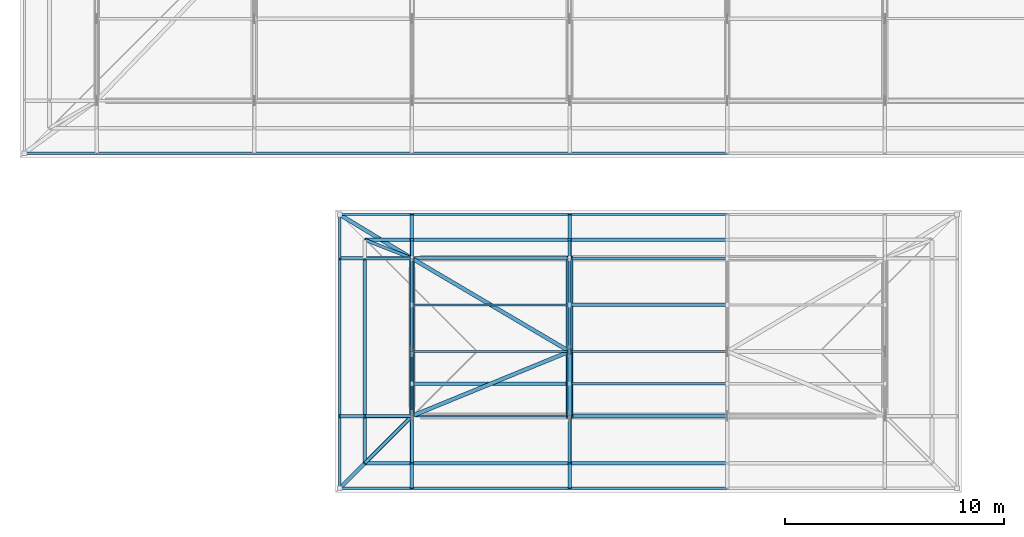
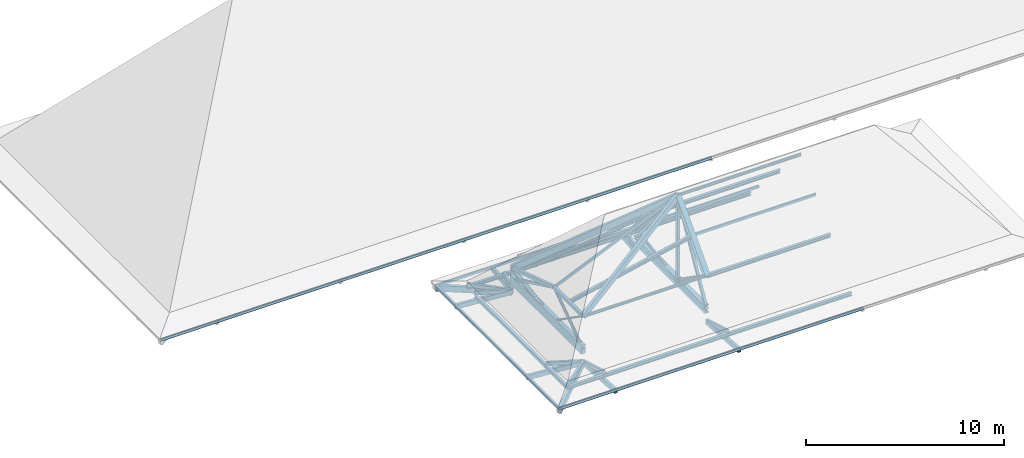
# One storey, part 1 of 12: 63 members, 2 beams.
"""IFC4 building model written with IfcOpenShell, lengths in metres."""

from ifc_helpers import new_model, si_unit, direction, frame, origin, origin_2d, place, context, subcontext, project, spatial, rectangle, hollow_rectangle, hollow_circle, i_section, extrude, material, material_profile, profile_set, type_object, element, save


model = new_model("IFC4")

# Units and contexts
model_context = context("Model", 3, precision=1e-05, world=origin(), true_north=direction((0.0, 1.0)))
body_context = subcontext(model_context, "Body", "Model", "MODEL_VIEW")
ifc_project = project(units=[si_unit("LENGTHUNIT", "METRE"), si_unit("AREAUNIT", "SQUARE_METRE"), si_unit("VOLUMEUNIT", "CUBIC_METRE"), si_unit("PLANEANGLEUNIT", "RADIAN"), si_unit("MASSUNIT", "GRAM", prefix="KILO")], contexts=[model_context])

# Site, building, storey
site_placement = place(None, origin())
site = spatial("IfcSite", under=ifc_project, at=site_placement, CompositionType="ELEMENT")
building_placement = place(site_placement, origin())
building = spatial("IfcBuilding", under=site, at=building_placement, Name="Steenspoor Specialist Clinic", CompositionType="ELEMENT")
storey_placement = place(building_placement, frame((0.0, 0.0, 25.800048828125)))
storey = spatial("IfcBuildingStorey", under=building, at=storey_placement, Name="RF", CompositionType="ELEMENT", Elevation=25.800048828125)

# Beams
ifc_material_1 = material(Name="Glulam GL28h", Category="wood")
ifc_material_profile_1 = material_profile(ifc_material_1, rectangle(XDim=0.239990234375, YDim=0.56005859375, at=origin_2d()), Name="GL28H-240X560")
ifc_profile_set_1 = profile_set([ifc_material_profile_1], Name="Glulam GL28h")
beam_type_1 = type_object("IfcBeamType", Name="BM-GL-240X560", PredefinedType="BEAM", material=ifc_profile_set_1)
beam_1_placement = place(storey_placement, frame((74.0, 79.550048828125, 0.300048828125), z_axis=(0.0, 1.0, 0.0), x_axis=(-1.0, 0.0, 0.0)))
element("IfcBeam", 1, at=beam_1_placement, inside=storey, type_object=beam_type_1, Name="ROOF TRUSS Bottom Tie Chord V4S 1", PredefinedType="BEAM", context=body_context, shape_type="SweptSolid", body=[
    extrude(rectangle(XDim=0.239990234375, YDim=0.56005859375, at=origin_2d()), origin(), (0.0, 0.0, 1.0), 7.199951171875),
])
ifc_material_2 = material(Name="Steel A992 Grade 50", Category="steel")
ifc_material_profile_2 = material_profile(ifc_material_2, i_section(OverallWidth=0.280029296875, OverallDepth=0.462890625, WebThickness=0.0107421875, FlangeThickness=0.017333984375, at=origin_2d()), Name="W460X113")
ifc_profile_set_2 = profile_set([ifc_material_profile_2], Name="Steel A992 Grade 50")
beam_type_2 = type_object("IfcBeamType", Name="BM-ST-W460X113", PredefinedType="BEAM", material=ifc_profile_set_2)
beam_2_placement = place(storey_placement, frame((81.199951171875, 79.550048828125, 0.25146484375), z_axis=(0.0, 1.0, 0.0), x_axis=(-1.0, 0.0, 0.0)))
element("IfcBeam", 2, at=beam_2_placement, inside=storey, type_object=beam_type_2, Name="ROOF TRUSS Bottom Tie Chord V4S 2", PredefinedType="BEAM", context=body_context, shape_type="SweptSolid", body=[
    extrude(i_section(OverallWidth=0.280029296875, OverallDepth=0.462890625, WebThickness=0.0107421875, FlangeThickness=0.017333984375, at=origin_2d()), origin(), (0.0, 0.0, 1.0), 7.199951171875),
])

# Members
ifc_material_3 = material(Name="Steel A500 Grade C", Category="steel")
ifc_material_profile_3 = material_profile(ifc_material_3, hollow_circle(Radius=0.084228515625, WallThickness=0.007080078125, at=origin_2d()), Name="CHS168X7.1")
ifc_profile_set_3 = profile_set([ifc_material_profile_3], Name="Steel A500 Grade C")
member_type_1 = type_object("IfcMemberType", Name="MEM-BRACE-CHS168", PredefinedType="BRACE", material=ifc_profile_set_3)
member_1_placement = place(storey_placement, frame((74.0, 79.550048828125, 0.300048828125), z_axis=(0.0, 0.820636559169, 0.571450468331), x_axis=(-1.0, 0.0, 0.0)))
element("IfcMember", 3, at=member_1_placement, inside=storey, type_object=member_type_1, Name="ROOF TRUSS Web Brace V4S 1.1", PredefinedType="BRACE", context=body_context, shape_type="SweptSolid", body=[
    extrude(hollow_circle(Radius=0.084228515625, WallThickness=0.007080078125, at=origin_2d()), origin(), (0.0, 0.0, 1.0), 3.5947265625),
])
ifc_material_profile_4 = material_profile(ifc_material_3, hollow_rectangle(XDim=0.126953125, YDim=0.126953125, WallThickness=0.0087890625, at=origin_2d()), Name="HSS127X127X9.5")
ifc_profile_set_4 = profile_set([ifc_material_profile_4], Name="Steel A500 Grade C")
member_type_2 = type_object("IfcMemberType", Name="MEM-BRACE-H127A", PredefinedType="BRACE", material=ifc_profile_set_4)
member_2_placement = place(storey_placement, frame((81.199951171875, 82.5, 5.469970703125), z_axis=(0.0, 0.631483988757, -0.775388916572), x_axis=(-1.0, 0.0, 0.0)))
element("IfcMember", 4, at=member_2_placement, inside=storey, type_object=member_type_2, Name="ROOF TRUSS Web Brace V4S 2.2", PredefinedType="BRACE", context=body_context, shape_type="SweptSolid", body=[
    extrude(hollow_rectangle(XDim=0.126953125, YDim=0.126953125, WallThickness=0.0087890625, at=origin_2d()), origin(), (0.0, 0.0, 1.0), 6.730224609375),
])
ifc_material_profile_5 = material_profile(ifc_material_3, hollow_rectangle(XDim=0.15234375, YDim=0.15234375, WallThickness=0.0087890625, at=origin_2d()), Name="HSS152X152X9.5")
ifc_profile_set_5 = profile_set([ifc_material_profile_5], Name="Steel A500 Grade C")
member_type_3 = type_object("IfcMemberType", Name="MEM-BRACE-H152", PredefinedType="BRACE", material=ifc_profile_set_5)
member_3_placement = place(storey_placement, frame((74.0, 82.5, 2.354248046875), z_axis=(0.0, 0.900346250933, -0.435174250652), x_axis=(-1.0, 0.0, 0.0)))
element("IfcMember", 5, at=member_3_placement, inside=storey, type_object=member_type_3, Name="ROOF TRUSS Web Brace V4S 1.2", PredefinedType="BRACE", context=body_context, shape_type="SweptSolid", body=[
    extrude(hollow_rectangle(XDim=0.15234375, YDim=0.15234375, WallThickness=0.0087890625, at=origin_2d()), origin(), (0.0, 0.0, 1.0), 4.720458984375),
])
member_4_placement = place(storey_placement, frame((81.199951171875, 79.550048828125, 0.25146484375), z_axis=(0.0, 0.492102884101, 0.870537047724), x_axis=(-1.0, 0.0, 0.0)))
element("IfcMember", 6, at=member_4_placement, inside=storey, type_object=member_type_3, Name="ROOF TRUSS Web Brace V4S 2.1", PredefinedType="BRACE", context=body_context, shape_type="SweptSolid", body=[
    extrude(hollow_rectangle(XDim=0.15234375, YDim=0.15234375, WallThickness=0.0087890625, at=origin_2d()), origin(), (0.0, 0.0, 1.0), 5.99462890625),
])
ifc_material_profile_6 = material_profile(ifc_material_3, hollow_rectangle(XDim=0.177734375, YDim=0.177734375, WallThickness=0.0087890625, at=origin_2d()), Name="HSS178X178X9.5")
ifc_profile_set_6 = profile_set([ifc_material_profile_6], Name="Steel A500 Grade C")
member_type_4 = type_object("IfcMemberType", Name="MEM-CHORD-H178", PredefinedType="CHORD", material=ifc_profile_set_6)
member_5_placement = place(storey_placement, frame((74.0, 79.550048828125, 2.354248046875), z_axis=(0.0, 1.0, 0.0), x_axis=(-1.0, 0.0, 0.0)))
element("IfcMember", 7, at=member_5_placement, inside=storey, type_object=member_type_4, Name="ROOF TRUSS Top Chord V4S 1.1", PredefinedType="CHORD", context=body_context, shape_type="SweptSolid", body=[
    extrude(hollow_rectangle(XDim=0.177734375, YDim=0.177734375, WallThickness=0.0087890625, at=origin_2d()), origin(), (0.0, 0.0, 1.0), 2.949951171875),
])
member_6_placement = place(storey_placement, frame((74.0, 82.5, 2.354248046875), z_axis=(0.0, 0.950286750093, -0.311376127213), x_axis=(-1.0, 0.0, 0.0)))
element("IfcMember", 8, at=member_6_placement, inside=storey, type_object=member_type_4, Name="ROOF TRUSS Top Chord V4S 1.2", PredefinedType="CHORD", context=body_context, shape_type="SweptSolid", body=[
    extrude(hollow_rectangle(XDim=0.177734375, YDim=0.177734375, WallThickness=0.0087890625, at=origin_2d()), origin(), (0.0, 0.0, 1.0), 4.472412109375),
])
ifc_material_profile_7 = material_profile(ifc_material_2, i_section(OverallWidth=0.304931640625, OverallDepth=0.30810546875, WebThickness=0.010009765625, FlangeThickness=0.015380859375, at=origin_2d()), Name="W310X97")
ifc_profile_set_7 = profile_set([ifc_material_profile_7], Name="Steel A992 Grade 50")
member_type_5 = type_object("IfcMemberType", Name="MEM-CHORD-W310", PredefinedType="CHORD", material=ifc_profile_set_7)
member_7_placement = place(storey_placement, frame((81.199951171875, 79.550048828125, 2.309814453125), z_axis=(0.0, 0.682376600289, 0.731000803951), x_axis=(-1.0, 0.0, 0.0)))
element("IfcMember", 9, at=member_7_placement, inside=storey, type_object=member_type_5, Name="ROOF TRUSS Top Chord V4S 2.1", PredefinedType="CHORD", context=body_context, shape_type="SweptSolid", body=[
    extrude(i_section(OverallWidth=0.304931640625, OverallDepth=0.30810546875, WebThickness=0.010009765625, FlangeThickness=0.015380859375, at=origin_2d()), origin(), (0.0, 0.0, 1.0), 4.322998046875),
])
member_8_placement = place(storey_placement, frame((81.199951171875, 82.5, 5.469970703125), z_axis=(0.0, 0.682385287054, -0.73099269491), x_axis=(-1.0, 0.0, 0.0)))
element("IfcMember", 10, at=member_8_placement, inside=storey, type_object=member_type_5, Name="ROOF TRUSS Top Chord V4S 2.2", PredefinedType="CHORD", context=body_context, shape_type="SweptSolid", body=[
    extrude(i_section(OverallWidth=0.304931640625, OverallDepth=0.30810546875, WebThickness=0.010009765625, FlangeThickness=0.015380859375, at=origin_2d()), origin(), (0.0, 0.0, 1.0), 6.228271484375),
])
ifc_material_profile_8 = material_profile(ifc_material_3, hollow_rectangle(XDim=0.1015625, YDim=0.15234375, WallThickness=0.005859375, at=origin_2d()), Name="HSS152X102X6.4")
ifc_profile_set_8 = profile_set([ifc_material_profile_8], Name="Steel A500 Grade C")
member_type_6 = type_object("IfcMemberType", Name="MEM-PURLIN-H152", PredefinedType="PURLIN", material=ifc_profile_set_8)
member_9_placement = place(storey_placement, frame((56.300048828125, 91.550048828125, -0.195068359375), z_axis=(1.0, 0.0, 0.0), x_axis=(0.0, 1.0, 0.0)))
element("IfcMember", 11, at=member_9_placement, inside=storey, type_object=member_type_6, Name="ROOF TRUSS Eave Fascia 275", PredefinedType="PURLIN", context=body_context, shape_type="SweptSolid", body=[
    extrude(hollow_rectangle(XDim=0.1015625, YDim=0.15234375, WallThickness=0.005859375, at=origin_2d()), origin(), (0.0, 0.0, 1.0), 3.300048828125),
])
for number, where, z_axis, x_axis, name in (
    (12, (59.60009765625, 91.550048828125, -0.195068359375), (1.0, 0.0, 0.0), (0.0, 1.0, 0.0), "ROOF TRUSS Eave Fascia 276"),
    (13, (66.800048828125, 91.550048828125, -0.195068359375), (1.0, 0.0, 0.0), (0.0, 1.0, 0.0), "ROOF TRUSS Eave Fascia 277"),
    (14, (74.0, 91.550048828125, -0.195068359375), (1.0, 0.0, 0.0), (0.0, 1.0, 0.0), "ROOF TRUSS Eave Fascia 278"),
    (15, (81.199951171875, 91.550048828125, -0.195068359375), (1.0, 0.0, 0.0), (0.0, 1.0, 0.0), "ROOF TRUSS Eave Fascia 279"),
):
    element("IfcMember", number, at=place(storey_placement, frame(where, z_axis=z_axis, x_axis=x_axis)), inside=storey, type_object=member_type_6, Name=name, PredefinedType="PURLIN", context=body_context, shape_type="SweptSolid", body=[
        extrude(hollow_rectangle(XDim=0.1015625, YDim=0.15234375, WallThickness=0.005859375, at=origin_2d()), origin(), (0.0, 0.0, 1.0), 7.199951171875),
    ])
member_10_placement = place(storey_placement, frame((70.699951171875, 76.25, -0.195068359375), z_axis=(1.0, 0.0, 0.0), x_axis=(0.0, 1.0, 0.0)))
element("IfcMember", 16, at=member_10_placement, inside=storey, type_object=member_type_6, Name="ROOF TRUSS Eave Fascia 362", PredefinedType="PURLIN", context=body_context, shape_type="SweptSolid", body=[
    extrude(hollow_rectangle(XDim=0.1015625, YDim=0.15234375, WallThickness=0.005859375, at=origin_2d()), origin(), (0.0, 0.0, 1.0), 3.300048828125),
])
for number, where, z_axis, x_axis, name in (
    (17, (74.0, 76.25, -0.195068359375), (1.0, 0.0, 0.0), (0.0, 1.0, 0.0), "ROOF TRUSS Eave Fascia 363"),
    (18, (81.199951171875, 76.25, -0.195068359375), (1.0, 0.0, 0.0), (0.0, 1.0, 0.0), "ROOF TRUSS Eave Fascia 364"),
):
    element("IfcMember", number, at=place(storey_placement, frame(where, z_axis=z_axis, x_axis=x_axis)), inside=storey, type_object=member_type_6, Name=name, PredefinedType="PURLIN", context=body_context, shape_type="SweptSolid", body=[
        extrude(hollow_rectangle(XDim=0.1015625, YDim=0.15234375, WallThickness=0.005859375, at=origin_2d()), origin(), (0.0, 0.0, 1.0), 7.199951171875),
    ])
member_11_placement = place(storey_placement, frame((70.699951171875, 88.75, -0.195068359375), z_axis=(1.0, 0.0, 0.0), x_axis=(0.0, 1.0, 0.0)))
element("IfcMember", 19, at=member_11_placement, inside=storey, type_object=member_type_6, Name="ROOF TRUSS Eave Fascia 367", PredefinedType="PURLIN", context=body_context, shape_type="SweptSolid", body=[
    extrude(hollow_rectangle(XDim=0.1015625, YDim=0.15234375, WallThickness=0.005859375, at=origin_2d()), origin(), (0.0, 0.0, 1.0), 3.300048828125),
])
for number, where, z_axis, x_axis, name in (
    (20, (74.0, 88.75, -0.195068359375), (1.0, 0.0, 0.0), (0.0, 1.0, 0.0), "ROOF TRUSS Eave Fascia 368"),
    (21, (81.199951171875, 88.75, -0.195068359375), (1.0, 0.0, 0.0), (0.0, 1.0, 0.0), "ROOF TRUSS Eave Fascia 369"),
):
    element("IfcMember", number, at=place(storey_placement, frame(where, z_axis=z_axis, x_axis=x_axis)), inside=storey, type_object=member_type_6, Name=name, PredefinedType="PURLIN", context=body_context, shape_type="SweptSolid", body=[
        extrude(hollow_rectangle(XDim=0.1015625, YDim=0.15234375, WallThickness=0.005859375, at=origin_2d()), origin(), (0.0, 0.0, 1.0), 7.199951171875),
    ])
member_12_placement = place(storey_placement, frame((70.699951171875, 76.25, -0.195068359375), z_axis=(0.0, 1.0, 0.0), x_axis=(-1.0, 0.0, 0.0)))
element("IfcMember", 22, at=member_12_placement, inside=storey, type_object=member_type_6, Name="ROOF TRUSS Eave Fascia 372", PredefinedType="PURLIN", context=body_context, shape_type="SweptSolid", body=[
    extrude(hollow_rectangle(XDim=0.1015625, YDim=0.15234375, WallThickness=0.005859375, at=origin_2d()), origin(), (0.0, 0.0, 1.0), 3.300048828125),
])
member_13_placement = place(storey_placement, frame((70.699951171875, 79.550048828125, -0.195068359375), z_axis=(0.0, 1.0, 0.0), x_axis=(-1.0, 0.0, 0.0)))
element("IfcMember", 23, at=member_13_placement, inside=storey, type_object=member_type_6, Name="ROOF TRUSS Eave Fascia 373", PredefinedType="PURLIN", context=body_context, shape_type="SweptSolid", body=[
    extrude(hollow_rectangle(XDim=0.1015625, YDim=0.15234375, WallThickness=0.005859375, at=origin_2d()), origin(), (0.0, 0.0, 1.0), 7.199951171875),
])
member_14_placement = place(storey_placement, frame((70.699951171875, 86.75, -0.195068359375), z_axis=(0.0, 1.0, 0.0), x_axis=(-1.0, 0.0, 0.0)))
element("IfcMember", 24, at=member_14_placement, inside=storey, type_object=member_type_6, Name="ROOF TRUSS Eave Fascia 374", PredefinedType="PURLIN", context=body_context, shape_type="SweptSolid", body=[
    extrude(hollow_rectangle(XDim=0.1015625, YDim=0.15234375, WallThickness=0.005859375, at=origin_2d()), origin(), (0.0, 0.0, 1.0), 2.0),
])
member_15_placement = place(storey_placement, frame((74.0, 82.5, 2.3388671875), z_axis=(0.915681378578, 0.0, 0.401904979971), x_axis=(0.0, 1.0, 0.0)))
element("IfcMember", 25, at=member_15_placement, inside=storey, type_object=member_type_6, Name="ROOF TRUSS Purlin 396", PredefinedType="PURLIN", context=body_context, shape_type="SweptSolid", body=[
    extrude(hollow_rectangle(XDim=0.1015625, YDim=0.15234375, WallThickness=0.005859375, at=origin_2d()), origin(), (0.0, 0.0, 1.0), 7.863037109375),
])
for number, where, z_axis, x_axis, name in (
    (26, (81.199951171875, 81.02490234375, 3.9189453125), (1.0, 0.0, 0.0), (0.0, 1.0, 0.0), "ROOF TRUSS Purlin 400"),
    (27, (81.199951171875, 86.75, 0.946044921875), (1.0, 0.0, 0.0), (0.0, 1.0, 0.0), "ROOF TRUSS Purlin 403"),
):
    element("IfcMember", number, at=place(storey_placement, frame(where, z_axis=z_axis, x_axis=x_axis)), inside=storey, type_object=member_type_6, Name=name, PredefinedType="PURLIN", context=body_context, shape_type="SweptSolid", body=[
        extrude(hollow_rectangle(XDim=0.1015625, YDim=0.15234375, WallThickness=0.005859375, at=origin_2d()), origin(), (0.0, 0.0, 1.0), 7.199951171875),
    ])
ifc_material_profile_9 = material_profile(ifc_material_2, i_section(OverallWidth=0.10205078125, OverallDepth=0.159912109375, WebThickness=0.006591796875, FlangeThickness=0.01025390625, at=origin_2d()), Name="W150X24")
ifc_profile_set_9 = profile_set([ifc_material_profile_9], Name="Steel A992 Grade 50")
member_type_7 = type_object("IfcMemberType", Name="MEM-PURLIN-W150", PredefinedType="PURLIN", material=ifc_profile_set_9)
member_16_placement = place(storey_placement, frame((74.0, 79.550048828125, 2.3349609375), z_axis=(1.0, 0.0, 0.0), x_axis=(0.0, 1.0, 0.0)))
element("IfcMember", 28, at=member_16_placement, inside=storey, type_object=member_type_7, Name="ROOF TRUSS Purlin 394", PredefinedType="PURLIN", context=body_context, shape_type="SweptSolid", body=[
    extrude(i_section(OverallWidth=0.10205078125, OverallDepth=0.159912109375, WebThickness=0.006591796875, FlangeThickness=0.01025390625, at=origin_2d()), origin(), (0.0, 0.0, 1.0), 7.199951171875),
])
member_17_placement = place(storey_placement, frame((74.0, 84.625, 2.3349609375), z_axis=(0.992550382858, 0.0, 0.121834877961), x_axis=(0.0, 1.0, 0.0)))
element("IfcMember", 29, at=member_17_placement, inside=storey, type_object=member_type_7, Name="ROOF TRUSS Purlin 397", PredefinedType="PURLIN", context=body_context, shape_type="SweptSolid", body=[
    extrude(i_section(OverallWidth=0.10205078125, OverallDepth=0.159912109375, WebThickness=0.006591796875, FlangeThickness=0.01025390625, at=origin_2d()), origin(), (0.0, 0.0, 1.0), 7.25390625),
])
member_18_placement = place(storey_placement, frame((81.199951171875, 82.5, 5.4951171875), z_axis=(1.0, 0.0, 0.0), x_axis=(0.0, 1.0, 0.0)))
element("IfcMember", 30, at=member_18_placement, inside=storey, type_object=member_type_7, Name="ROOF TRUSS Purlin 401", PredefinedType="PURLIN", context=body_context, shape_type="SweptSolid", body=[
    extrude(i_section(OverallWidth=0.10205078125, OverallDepth=0.159912109375, WebThickness=0.006591796875, FlangeThickness=0.01025390625, at=origin_2d()), origin(), (0.0, 0.0, 1.0), 7.199951171875),
])
ifc_material_profile_10 = material_profile(ifc_material_2, i_section(OverallWidth=0.1650390625, OverallDepth=0.200927734375, WebThickness=0.006103515625, FlangeThickness=0.01025390625, at=origin_2d()), Name="W200X36")
ifc_profile_set_10 = profile_set([ifc_material_profile_10], Name="Steel A992 Grade 50")
member_type_8 = type_object("IfcMemberType", Name="MEM-PURLIN-W200", PredefinedType="PURLIN", material=ifc_profile_set_10)
for number, where, z_axis, x_axis, name in (
    (31, (71.85009765625, 77.39990234375, 0.01318359375), (1.0, 0.0, 0.0), (0.0, 1.0, 0.0), "ROOF TRUSS Knuckle Purlin 378"),
    (32, (71.85009765625, 87.60009765625, 0.01318359375), (1.0, 0.0, 0.0), (0.0, 1.0, 0.0), "ROOF TRUSS Knuckle Purlin 379"),
):
    element("IfcMember", number, at=place(storey_placement, frame(where, z_axis=z_axis, x_axis=x_axis)), inside=storey, type_object=member_type_8, Name=name, PredefinedType="PURLIN", context=body_context, shape_type="SweptSolid", body=[
        extrude(i_section(OverallWidth=0.1650390625, OverallDepth=0.200927734375, WebThickness=0.006103515625, FlangeThickness=0.01025390625, at=origin_2d()), origin(), (0.0, 0.0, 1.0), 2.14990234375),
    ])
for number, where, z_axis, x_axis, name in (
    (33, (74.0, 77.39990234375, 0.01318359375), (1.0, 0.0, 0.0), (0.0, 1.0, 0.0), "ROOF TRUSS Knuckle Purlin 380"),
    (34, (74.0, 87.60009765625, 0.01318359375), (1.0, 0.0, 0.0), (0.0, 1.0, 0.0), "ROOF TRUSS Knuckle Purlin 381"),
    (35, (81.199951171875, 77.39990234375, 0.01318359375), (1.0, 0.0, 0.0), (0.0, 1.0, 0.0), "ROOF TRUSS Knuckle Purlin 382"),
    (36, (81.199951171875, 87.60009765625, 0.01318359375), (1.0, 0.0, 0.0), (0.0, 1.0, 0.0), "ROOF TRUSS Knuckle Purlin 383"),
):
    element("IfcMember", number, at=place(storey_placement, frame(where, z_axis=z_axis, x_axis=x_axis)), inside=storey, type_object=member_type_8, Name=name, PredefinedType="PURLIN", context=body_context, shape_type="SweptSolid", body=[
        extrude(i_section(OverallWidth=0.1650390625, OverallDepth=0.200927734375, WebThickness=0.006103515625, FlangeThickness=0.01025390625, at=origin_2d()), origin(), (0.0, 0.0, 1.0), 7.199951171875),
    ])
member_19_placement = place(storey_placement, frame((71.85009765625, 77.39990234375, 0.01318359375), z_axis=(0.0, 1.0, 0.0), x_axis=(-1.0, 0.0, 0.0)))
element("IfcMember", 37, at=member_19_placement, inside=storey, type_object=member_type_8, Name="ROOF TRUSS Knuckle Purlin 388", PredefinedType="PURLIN", context=body_context, shape_type="SweptSolid", body=[
    extrude(i_section(OverallWidth=0.1650390625, OverallDepth=0.200927734375, WebThickness=0.006103515625, FlangeThickness=0.01025390625, at=origin_2d()), origin(), (0.0, 0.0, 1.0), 2.150146484375),
])
member_20_placement = place(storey_placement, frame((71.85009765625, 79.550048828125, 0.01318359375), z_axis=(0.0, 1.0, 0.0), x_axis=(-1.0, 0.0, 0.0)))
element("IfcMember", 38, at=member_20_placement, inside=storey, type_object=member_type_8, Name="ROOF TRUSS Knuckle Purlin 389", PredefinedType="PURLIN", context=body_context, shape_type="SweptSolid", body=[
    extrude(i_section(OverallWidth=0.1650390625, OverallDepth=0.200927734375, WebThickness=0.006103515625, FlangeThickness=0.01025390625, at=origin_2d()), origin(), (0.0, 0.0, 1.0), 7.199951171875),
])
member_21_placement = place(storey_placement, frame((74.0, 81.02490234375, 2.314453125), z_axis=(0.97675567645, 0.0, 0.214355658946), x_axis=(0.0, 1.0, 0.0)))
element("IfcMember", 39, at=member_21_placement, inside=storey, type_object=member_type_8, Name="ROOF TRUSS Purlin 395", PredefinedType="PURLIN", context=body_context, shape_type="SweptSolid", body=[
    extrude(i_section(OverallWidth=0.1650390625, OverallDepth=0.200927734375, WebThickness=0.006103515625, FlangeThickness=0.01025390625, at=origin_2d()), origin(), (0.0, 0.0, 1.0), 7.371337890625),
])
for number, where, z_axis, x_axis, name in (
    (40, (74.0, 86.75, 0.921630859375), (1.0, 0.0, 0.0), (0.0, 1.0, 0.0), "ROOF TRUSS Purlin 398"),
    (41, (81.199951171875, 79.550048828125, 2.314453125), (1.0, 0.0, 0.0), (0.0, 1.0, 0.0), "ROOF TRUSS Purlin 399"),
    (42, (81.199951171875, 84.625, 3.1982421875), (1.0, 0.0, 0.0), (0.0, 1.0, 0.0), "ROOF TRUSS Purlin 402"),
):
    element("IfcMember", number, at=place(storey_placement, frame(where, z_axis=z_axis, x_axis=x_axis)), inside=storey, type_object=member_type_8, Name=name, PredefinedType="PURLIN", context=body_context, shape_type="SweptSolid", body=[
        extrude(i_section(OverallWidth=0.1650390625, OverallDepth=0.200927734375, WebThickness=0.006103515625, FlangeThickness=0.01025390625, at=origin_2d()), origin(), (0.0, 0.0, 1.0), 7.199951171875),
    ])
ifc_material_profile_11 = material_profile(ifc_material_1, rectangle(XDim=0.139892578125, YDim=0.219970703125, at=origin_2d()), Name="GL28H-140X220")
ifc_profile_set_11 = profile_set([ifc_material_profile_11], Name="Glulam GL28h")
member_type_9 = type_object("IfcMemberType", Name="MEM-RAFTER-GL220", PredefinedType="RAFTER", material=ifc_profile_set_11)
member_22_placement = place(storey_placement, frame((74.0, 79.550048828125, -0.459716796875), z_axis=(0.0, -0.958901299504, 0.283739841774), x_axis=(1.0, 0.0, 0.0)))
element("IfcMember", 43, at=member_22_placement, inside=storey, type_object=member_type_9, Name="ROOF TRUSS Knuckle Rafter V4S 228", PredefinedType="RAFTER", context=body_context, shape_type="SweptSolid", body=[
    extrude(rectangle(XDim=0.139892578125, YDim=0.219970703125, at=origin_2d()), origin(), (0.0, 0.0, 1.0), 2.2421875),
])
member_23_placement = place(storey_placement, frame((74.0, 86.75, -0.38671875), z_axis=(0.0, 0.833630701629, 0.552322236834), x_axis=(-1.0, 0.0, 0.0)))
element("IfcMember", 44, at=member_23_placement, inside=storey, type_object=member_type_9, Name="ROOF TRUSS Knuckle Rafter V4S 230", PredefinedType="RAFTER", context=body_context, shape_type="SweptSolid", body=[
    extrude(rectangle(XDim=0.139892578125, YDim=0.219970703125, at=origin_2d()), origin(), (0.0, 0.0, 1.0), 1.019775390625),
])
member_24_placement = place(storey_placement, frame((81.199951171875, 79.550048828125, -0.459716796875), z_axis=(0.0, -0.958901299504, 0.283739841774), x_axis=(1.0, 0.0, 0.0)))
element("IfcMember", 45, at=member_24_placement, inside=storey, type_object=member_type_9, Name="ROOF TRUSS Knuckle Rafter V4S 232", PredefinedType="RAFTER", context=body_context, shape_type="SweptSolid", body=[
    extrude(rectangle(XDim=0.139892578125, YDim=0.219970703125, at=origin_2d()), origin(), (0.0, 0.0, 1.0), 2.2421875),
])
member_25_placement = place(storey_placement, frame((81.199951171875, 86.75, -0.38671875), z_axis=(0.0, 0.833630701629, 0.552322236834), x_axis=(-1.0, 0.0, 0.0)))
element("IfcMember", 46, at=member_25_placement, inside=storey, type_object=member_type_9, Name="ROOF TRUSS Knuckle Rafter V4S 234", PredefinedType="RAFTER", context=body_context, shape_type="SweptSolid", body=[
    extrude(rectangle(XDim=0.139892578125, YDim=0.219970703125, at=origin_2d()), origin(), (0.0, 0.0, 1.0), 1.019775390625),
])
for number, where, z_axis, x_axis, name in (
    (47, (74.0, 79.550048828125, -0.459716796875), (-0.958892532432, 0.0, 0.283769468489), (0.0, -1.0, 0.0), "ROOF TRUSS Knuckle Rafter V4S 244"),
    (48, (74.0, 86.75, -0.459716796875), (-0.958892532432, 0.0, 0.283769468489), (0.0, -1.0, 0.0), "ROOF TRUSS Knuckle Rafter V4S 246"),
):
    element("IfcMember", number, at=place(storey_placement, frame(where, z_axis=z_axis, x_axis=x_axis)), inside=storey, type_object=member_type_9, Name=name, PredefinedType="RAFTER", context=body_context, shape_type="SweptSolid", body=[
        extrude(rectangle(XDim=0.139892578125, YDim=0.219970703125, at=origin_2d()), origin(), (0.0, 0.0, 1.0), 2.2421875),
    ])
member_26_placement = place(storey_placement, frame((74.0, 79.550048828125, -0.5), z_axis=(-0.690189561111, -0.690267938304, 0.217183201662), x_axis=(0.707146926915, -0.707066633179, 0.0)))
element("IfcMember", 49, at=member_26_placement, inside=storey, type_object=member_type_9, Name="ROOF TRUSS Corner Knuckle Rafter V4S 252", PredefinedType="RAFTER", context=body_context, shape_type="SweptSolid", body=[
    extrude(rectangle(XDim=0.139892578125, YDim=0.219970703125, at=origin_2d()), origin(), (0.0, 0.0, 1.0), 3.114990234375),
])
member_27_placement = place(storey_placement, frame((74.0, 86.75, -0.44921875), z_axis=(-0.897642259966, 0.354938717829, 0.261260176277), x_axis=(-0.367709862795, -0.929940566275, 0.0)))
element("IfcMember", 50, at=member_27_placement, inside=storey, type_object=member_type_9, Name="ROOF TRUSS Corner Knuckle Rafter V4S 254", PredefinedType="RAFTER", context=body_context, shape_type="SweptSolid", body=[
    extrude(rectangle(XDim=0.139892578125, YDim=0.219970703125, at=origin_2d()), origin(), (0.0, 0.0, 1.0), 2.39501953125),
])
member_28_placement = place(storey_placement, frame((81.199951171875, 82.5, 0.179931640625), z_axis=(0.0, 0.0, 1.0), x_axis=(1.0, 0.0, 0.0)))
element("IfcMember", 51, at=member_28_placement, inside=storey, type_object=member_type_9, Name="ROOF TRUSS Hip King Post V4S W", PredefinedType="RAFTER", context=body_context, shape_type="SweptSolid", body=[
    extrude(rectangle(XDim=0.139892578125, YDim=0.219970703125, at=origin_2d()), origin(), (0.0, 0.0, 1.0), 5.330078125),
])
ifc_material_profile_12 = material_profile(ifc_material_1, rectangle(XDim=0.159912109375, YDim=0.280029296875, at=origin_2d()), Name="GL28H-160X280")
ifc_profile_set_12 = profile_set([ifc_material_profile_12], Name="Glulam GL28h")
member_type_10 = type_object("IfcMemberType", Name="MEM-RAFTER-GL280", PredefinedType="RAFTER", material=ifc_profile_set_12)
member_29_placement = place(storey_placement, frame((74.0, 79.550048828125, -0.5), z_axis=(0.0, -0.997518653982, 0.070402663009), x_axis=(1.0, 0.0, 0.0)))
element("IfcMember", 52, at=member_29_placement, inside=storey, type_object=member_type_10, Name="ROOF TRUSS Flared Eave Glulam Outrigger V4S 227", PredefinedType="RAFTER", context=body_context, shape_type="SweptSolid", body=[
    extrude(rectangle(XDim=0.159912109375, YDim=0.280029296875, at=origin_2d()), origin(), (0.0, 0.0, 1.0), 3.308349609375),
])
member_30_placement = place(storey_placement, frame((74.0, 86.75, -0.5), z_axis=(0.0, 0.993287307812, 0.115673351032), x_axis=(-1.0, 0.0, 0.0)))
element("IfcMember", 53, at=member_30_placement, inside=storey, type_object=member_type_10, Name="ROOF TRUSS Flared Eave Glulam Outrigger V4S 229", PredefinedType="RAFTER", context=body_context, shape_type="SweptSolid", body=[
    extrude(rectangle(XDim=0.159912109375, YDim=0.280029296875, at=origin_2d()), origin(), (0.0, 0.0, 1.0), 2.013427734375),
])
member_31_placement = place(storey_placement, frame((81.199951171875, 79.550048828125, -0.5), z_axis=(0.0, -0.997518653982, 0.070402663009), x_axis=(1.0, 0.0, 0.0)))
element("IfcMember", 54, at=member_31_placement, inside=storey, type_object=member_type_10, Name="ROOF TRUSS Flared Eave Glulam Outrigger V4S 231", PredefinedType="RAFTER", context=body_context, shape_type="SweptSolid", body=[
    extrude(rectangle(XDim=0.159912109375, YDim=0.280029296875, at=origin_2d()), origin(), (0.0, 0.0, 1.0), 3.308349609375),
])
member_32_placement = place(storey_placement, frame((81.199951171875, 86.75, -0.5), z_axis=(0.0, 0.993287307812, 0.115673351032), x_axis=(-1.0, 0.0, 0.0)))
element("IfcMember", 55, at=member_32_placement, inside=storey, type_object=member_type_10, Name="ROOF TRUSS Flared Eave Glulam Outrigger V4S 233", PredefinedType="RAFTER", context=body_context, shape_type="SweptSolid", body=[
    extrude(rectangle(XDim=0.159912109375, YDim=0.280029296875, at=origin_2d()), origin(), (0.0, 0.0, 1.0), 2.013427734375),
])
for number, where, z_axis, x_axis, name in (
    (56, (74.0, 79.550048828125, -0.5), (-0.997518653982, 0.0, 0.070402663009), (0.0, -1.0, 0.0), "ROOF TRUSS Flared Eave Glulam Outrigger V4S 243"),
    (57, (74.0, 86.75, -0.5), (-0.997518653982, 0.0, 0.070402663009), (0.0, -1.0, 0.0), "ROOF TRUSS Flared Eave Glulam Outrigger V4S 245"),
):
    element("IfcMember", number, at=place(storey_placement, frame(where, z_axis=z_axis, x_axis=x_axis)), inside=storey, type_object=member_type_10, Name=name, PredefinedType="RAFTER", context=body_context, shape_type="SweptSolid", body=[
        extrude(rectangle(XDim=0.159912109375, YDim=0.280029296875, at=origin_2d()), origin(), (0.0, 0.0, 1.0), 3.308349609375),
    ])
ifc_material_profile_13 = material_profile(ifc_material_1, rectangle(XDim=0.179931640625, YDim=0.360107421875, at=origin_2d()), Name="GL28H-180X360")
ifc_profile_set_13 = profile_set([ifc_material_profile_13], Name="Glulam GL28h")
member_type_11 = type_object("IfcMemberType", Name="MEM-RAFTER-GL360", PredefinedType="RAFTER", material=ifc_profile_set_13)
member_33_placement = place(storey_placement, frame((74.0, 79.550048828125, -0.5), z_axis=(-0.706511318105, -0.706511318105, 0.041030656559), x_axis=(0.707106781187, -0.707106781187, 0.0)))
element("IfcMember", 58, at=member_33_placement, inside=storey, type_object=member_type_11, Name="ROOF TRUSS Corner Hip Outrigger V4S 251", PredefinedType="RAFTER", context=body_context, shape_type="SweptSolid", body=[
    extrude(rectangle(XDim=0.179931640625, YDim=0.360107421875, at=origin_2d()), origin(), (0.0, 0.0, 1.0), 4.6708984375),
])
member_34_placement = place(storey_placement, frame((74.0, 86.75, -0.5), z_axis=(-0.854148418136, 0.517658048485, 0.049604683601), x_axis=(-0.518296107317, -0.855201230787, 0.0)))
element("IfcMember", 59, at=member_34_placement, inside=storey, type_object=member_type_11, Name="ROOF TRUSS Corner Hip Outrigger V4S 253", PredefinedType="RAFTER", context=body_context, shape_type="SweptSolid", body=[
    extrude(rectangle(XDim=0.179931640625, YDim=0.360107421875, at=origin_2d()), origin(), (0.0, 0.0, 1.0), 3.863525390625),
])
member_35_placement = place(storey_placement, frame((74.0, 79.550048828125, 2.354248046875), z_axis=(0.859030822892, 0.351960578922, 0.371738881752), x_axis=(-0.379130049413, 0.925343398762, 0.0)))
element("IfcMember", 60, at=member_35_placement, inside=storey, type_object=member_type_11, Name="ROOF TRUSS Hip Rafter V4S 409", PredefinedType="RAFTER", context=body_context, shape_type="SweptSolid", body=[
    extrude(rectangle(XDim=0.179931640625, YDim=0.360107421875, at=origin_2d()), origin(), (0.0, 0.0, 1.0), 8.381591796875),
])
member_36_placement = place(storey_placement, frame((74.0, 86.75, 0.961669921875), z_axis=(0.757987983077, -0.447426496538, 0.474619582093), x_axis=(0.508328851831, 0.86116303822, 0.0)))
element("IfcMember", 61, at=member_36_placement, inside=storey, type_object=member_type_11, Name="ROOF TRUSS Hip Rafter V4S 410", PredefinedType="RAFTER", context=body_context, shape_type="SweptSolid", body=[
    extrude(rectangle(XDim=0.179931640625, YDim=0.360107421875, at=origin_2d()), origin(), (0.0, 0.0, 1.0), 9.498779296875),
])
ifc_material_profile_14 = material_profile(ifc_material_3, hollow_circle(Radius=0.05712890625, WallThickness=0.006103515625, at=origin_2d()), Name="CHS114X6.0")
ifc_profile_set_14 = profile_set([ifc_material_profile_14], Name="Steel A500 Grade C")
member_type_12 = type_object("IfcMemberType", Name="MEM-STRUT-CHS114", PredefinedType="STRUT", material=ifc_profile_set_14)
member_37_placement = place(storey_placement, frame((74.0, 79.550048828125, 2.354248046875), z_axis=(0.0, 0.820636559169, -0.571450468331), x_axis=(-1.0, 0.0, 0.0)))
element("IfcMember", 62, at=member_37_placement, inside=storey, type_object=member_type_12, Name="ROOF TRUSS Web Strut V4S 1.1", PredefinedType="STRUT", context=body_context, shape_type="SweptSolid", body=[
    extrude(hollow_circle(Radius=0.05712890625, WallThickness=0.006103515625, at=origin_2d()), origin(), (0.0, 0.0, 1.0), 3.5947265625),
])
ifc_material_profile_15 = material_profile(ifc_material_3, hollow_circle(Radius=0.109619140625, WallThickness=0.00830078125, at=origin_2d()), Name="CHS219X8.2")
ifc_profile_set_15 = profile_set([ifc_material_profile_15], Name="Steel A500 Grade C")
member_type_13 = type_object("IfcMemberType", Name="MEM-STRUT-CHS219", PredefinedType="STRUT", material=ifc_profile_set_15)
member_38_placement = place(storey_placement, frame((74.0, 82.5, 0.300048828125), z_axis=(0.0, 0.988098454049, 0.153822771741), x_axis=(-1.0, 0.0, 0.0)))
element("IfcMember", 63, at=member_38_placement, inside=storey, type_object=member_type_13, Name="ROOF TRUSS Web Strut V4S 1.2", PredefinedType="STRUT", context=body_context, shape_type="SweptSolid", body=[
    extrude(hollow_circle(Radius=0.109619140625, WallThickness=0.00830078125, at=origin_2d()), origin(), (0.0, 0.0, 1.0), 4.30126953125),
])
member_39_placement = place(storey_placement, frame((81.199951171875, 79.550048828125, 2.309814453125), z_axis=(0.0, 0.820095103399, -0.572227246276), x_axis=(-1.0, 0.0, 0.0)))
element("IfcMember", 64, at=member_39_placement, inside=storey, type_object=member_type_13, Name="ROOF TRUSS Web Strut V4S 2.1", PredefinedType="STRUT", context=body_context, shape_type="SweptSolid", body=[
    extrude(hollow_circle(Radius=0.109619140625, WallThickness=0.00830078125, at=origin_2d()), origin(), (0.0, 0.0, 1.0), 3.59716796875),
])
ifc_material_profile_16 = material_profile(ifc_material_3, hollow_rectangle(XDim=0.1015625, YDim=0.1015625, WallThickness=0.005859375, at=origin_2d()), Name="HSS102X102X6.4")
ifc_profile_set_16 = profile_set([ifc_material_profile_16], Name="Steel A500 Grade C")
member_type_14 = type_object("IfcMemberType", Name="MEM-STRUT-H102", PredefinedType="STRUT", material=ifc_profile_set_16)
member_40_placement = place(storey_placement, frame((81.199951171875, 82.5, 0.25146484375), z_axis=(0.0, 0.9879513637, 0.154764669624), x_axis=(-1.0, 0.0, 0.0)))
element("IfcMember", 65, at=member_40_placement, inside=storey, type_object=member_type_14, Name="ROOF TRUSS Web Strut V4S 2.2", PredefinedType="STRUT", context=body_context, shape_type="SweptSolid", body=[
    extrude(hollow_rectangle(XDim=0.1015625, YDim=0.1015625, WallThickness=0.005859375, at=origin_2d()), origin(), (0.0, 0.0, 1.0), 4.3017578125),
])

save(model, "model.ifc")
